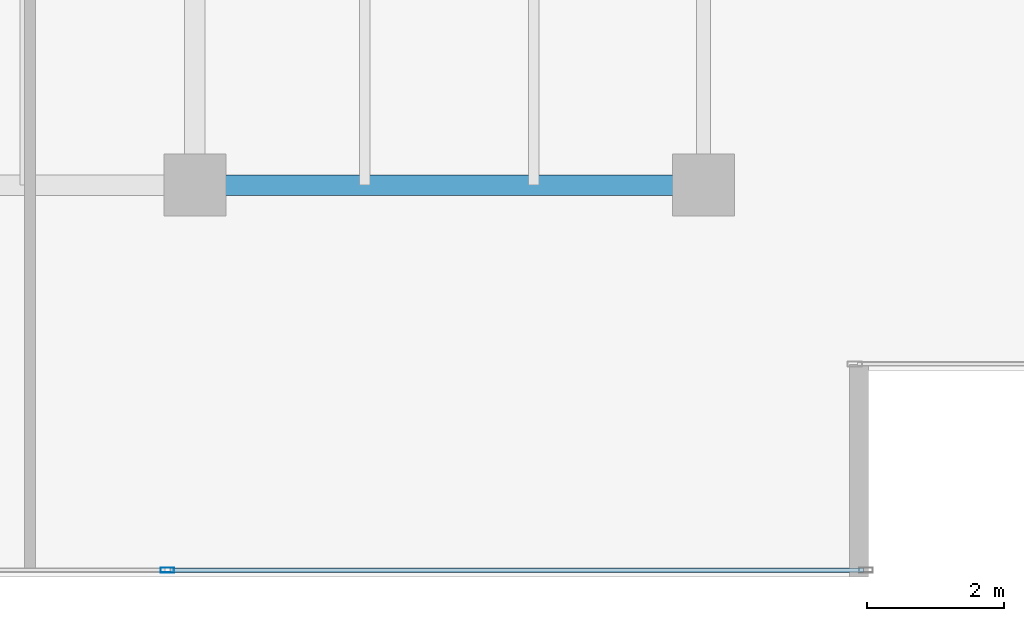
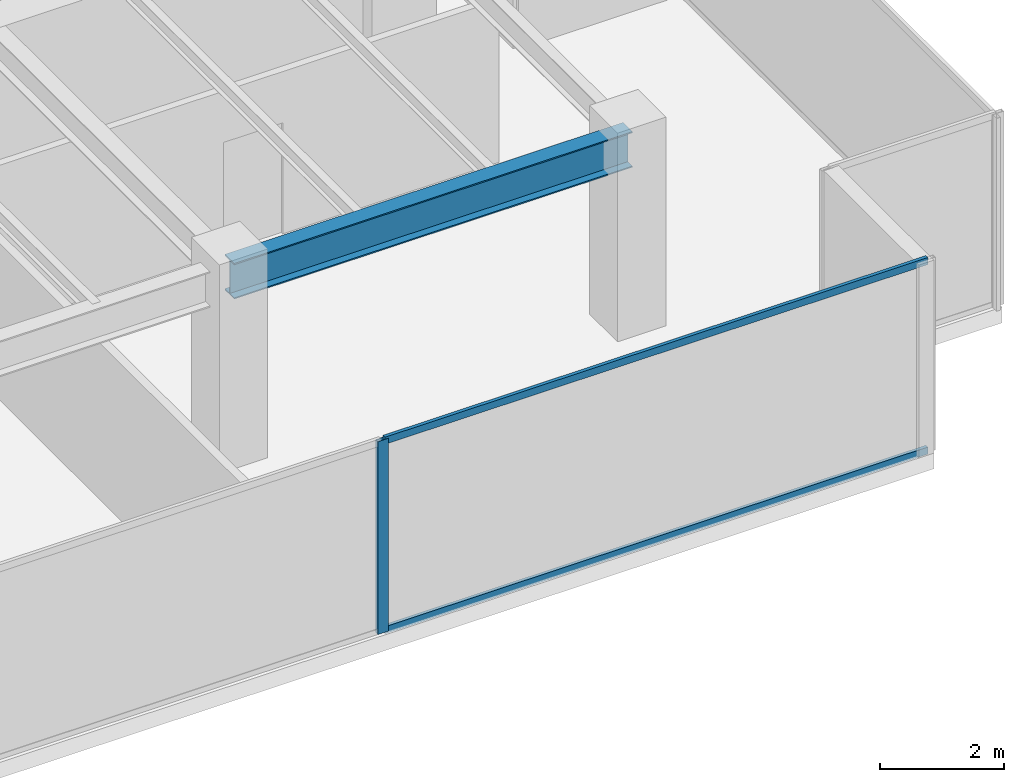
# One storey, part 12 of 30: 3 members, 1 beam, 1 element without a shape of its own.
"""IFC4 building model written with IfcOpenShell, lengths in metres."""

import ifcopenshell
import ifcopenshell.guid

model = None  # the IFC model being written
_history = None  # IfcOwnerHistory: only IFC2X3 demands one
_inside = {}  # id of a spatial element -> (the spatial element, [elements in it])
_under = {}  # id of a project, library or spatial element -> (it, [spatial elements below it])
_declared = {}  # id of a project -> (the project, [libraries it declares])
_typed = {}  # id of a type object -> (the type object, [elements of that type])
_made_of = {}  # id of a material, layer set ... -> (it, [elements and type objects made of it])


def new_model(schema):
    """Start an empty IFC model of exactly this schema.

    Asked for "IFC4X3", IfcOpenShell would pick the latest addendum, in which some entities
    have other attributes; the version numbers below select the first issue.
    IFC2X3 requires an IfcOwnerHistory on every rooted entity: one is made here for all.
    """
    global model, _history
    if schema == "IFC4X3":
        model = ifcopenshell.file(schema_version=(4, 3, 0, 0))
    else:
        model = ifcopenshell.file(schema=schema)
    _inside.clear()
    _under.clear()
    _declared.clear()
    _typed.clear()
    _made_of.clear()
    _history = None
    if model.schema == "IFC2X3":
        org = make("IfcOrganization", Name="unknown")
        user = make(
            "IfcPersonAndOrganization",
            ThePerson=make("IfcPerson", FamilyName="unknown"),
            TheOrganization=org,
        )
        app = make(
            "IfcApplication",
            ApplicationDeveloper=org,
            Version="unknown",
            ApplicationFullName="unknown",
            ApplicationIdentifier="unknown",
        )
        _history = make(
            "IfcOwnerHistory",
            OwningUser=user,
            OwningApplication=app,
            ChangeAction="ADDED",
            CreationDate=0,
        )
    return model


def make(cls, **values):
    """One entity of the class cls with the attributes given. An attribute that is None is left unset."""
    return model.create_entity(
        cls, **{name: value for name, value in values.items() if value is not None}
    )


def rooted(cls, **values):
    """An entity with a GlobalId (a new one), such as an element, a storey or a relation."""
    return make(cls, GlobalId=ifcopenshell.guid.new(), OwnerHistory=_history, **values)


def si_unit(unit_type, name, prefix=None):
    """IfcSIUnit, for example si_unit("LENGTHUNIT", "METRE", prefix="MILLI")."""
    return make("IfcSIUnit", UnitType=unit_type, Prefix=prefix, Name=name)


def assignment(units):
    """IfcUnitAssignment: the units of a project."""
    return None if units is None else make("IfcUnitAssignment", Units=units)


def point(xyz):
    """IfcCartesianPoint."""
    return None if xyz is None else make("IfcCartesianPoint", Coordinates=xyz)


def direction(xyz):
    """IfcDirection."""
    return None if xyz is None else make("IfcDirection", DirectionRatios=xyz)


def frame(location, z_axis=None, x_axis=None):
    """IfcAxis2Placement3D, a coordinate frame: its origin and axes. An axis left out is left unset."""
    return make(
        "IfcAxis2Placement3D",
        Location=point(location),
        Axis=direction(z_axis),
        RefDirection=direction(x_axis),
    )


def frame_2d(location, x_axis=None):
    """IfcAxis2Placement2D, a coordinate frame in the plane: its origin and x axis."""
    return make(
        "IfcAxis2Placement2D", Location=point(location), RefDirection=direction(x_axis)
    )


def origin():
    """The frame at (0, 0, 0) with its axes left unset."""
    return frame((0.0, 0.0, 0.0))


def origin_2d():
    """The frame at (0, 0) in the plane with its x axis left unset."""
    return frame_2d((0.0, 0.0))


def place(relative_to, where):
    """IfcLocalPlacement: puts the frame where relative to a parent placement (None: the world)."""
    return make(
        "IfcLocalPlacement", PlacementRelTo=relative_to, RelativePlacement=where
    )


def context(
    kind, dimensions, precision=None, world=None, true_north=None, identifier=None
):
    """IfcGeometricRepresentationContext, for example the 3D "Model" context."""
    return make(
        "IfcGeometricRepresentationContext",
        ContextIdentifier=identifier,
        ContextType=kind,
        CoordinateSpaceDimension=dimensions,
        Precision=precision,
        WorldCoordinateSystem=world,
        TrueNorth=true_north,
    )


def subcontext(parent, identifier, kind, view, scale=None):
    """IfcGeometricRepresentationSubContext, for example "Body" below "Model"."""
    return make(
        "IfcGeometricRepresentationSubContext",
        ContextIdentifier=identifier,
        ContextType=kind,
        ParentContext=parent,
        TargetScale=scale,
        TargetView=view,
    )


def project(units=None, contexts=None):
    """IfcProject with its units and contexts."""
    return rooted(
        "IfcProject",
        Name="project",
        RepresentationContexts=contexts,
        UnitsInContext=assignment(units),
    )


def spatial(cls, under=None, at=None, **own):
    """A site, building, storey or space (cls), placed at a placement, below another one or the project."""
    s = rooted(cls, ObjectPlacement=at, **own)
    if under is not None:
        _under.setdefault(under.id(), (under, []))[1].append(s)
    return s


def profile(cls, at=None, kind="AREA", **sizes):
    """A parametric profile (cls). Its sizes go by their IFC names, for example OverallWidth=200.0."""
    return make(cls, ProfileType=kind, Position=at, **sizes)


def hollow_rectangle(**sizes):
    """IfcRectangleHollowProfileDef."""
    return profile("IfcRectangleHollowProfileDef", **sizes)


def i_section(**sizes):
    """IfcIShapeProfileDef."""
    return profile("IfcIShapeProfileDef", **sizes)


def extrude(swept, where, along, depth):
    """IfcExtrudedAreaSolid: the profile swept, set in the frame where, extruded along a direction by depth."""
    return make(
        "IfcExtrudedAreaSolid",
        SweptArea=swept,
        Position=where,
        ExtrudedDirection=direction(along),
        Depth=depth,
    )


def shape(context_of_items, identifier, shape_type, items):
    """IfcShapeRepresentation: the items that make up one representation, for example the "Body"."""
    return make(
        "IfcShapeRepresentation",
        ContextOfItems=context_of_items,
        RepresentationIdentifier=identifier,
        RepresentationType=shape_type,
        Items=items,
    )


def source(mapping_origin, context_of_items, identifier, shape_type, items):
    """IfcRepresentationMap: a shape defined once, which mapped items show again and again."""
    return make(
        "IfcRepresentationMap",
        MappingOrigin=mapping_origin,
        MappedRepresentation=shape(context_of_items, identifier, shape_type, items),
    )


def transform(
    local_origin,
    x_axis=None,
    y_axis=None,
    z_axis=None,
    scale=None,
    scale2=None,
    scale3=None,
    uniform=True,
):
    """IfcCartesianTransformationOperator3D, or its non-uniform kind. x_axis, y_axis, z_axis: its Axis1, 2, 3."""
    if uniform:
        return make(
            "IfcCartesianTransformationOperator3D",
            Axis1=direction(x_axis),
            Axis2=direction(y_axis),
            LocalOrigin=point(local_origin),
            Scale=scale,
            Axis3=direction(z_axis),
        )
    return make(
        "IfcCartesianTransformationOperator3DnonUniform",
        Axis1=direction(x_axis),
        Axis2=direction(y_axis),
        LocalOrigin=point(local_origin),
        Scale=scale,
        Axis3=direction(z_axis),
        Scale2=scale2,
        Scale3=scale3,
    )


def mapped(mapping_source, mapping_target):
    """IfcMappedItem: shows the shape of a source again, moved by a transform."""
    return make(
        "IfcMappedItem", MappingSource=mapping_source, MappingTarget=mapping_target
    )


def material(Name=None, Category=None):
    """IfcMaterial."""
    return make("IfcMaterial", Name=Name, Category=Category)


def layer(
    of_material, thickness, ventilated=None, Name=None, Category=None, Priority=None
):
    """IfcMaterialLayer: one layer of a wall or slab, of a material (None: an air gap)."""
    return make(
        "IfcMaterialLayer",
        Material=of_material,
        LayerThickness=thickness,
        IsVentilated=ventilated,
        Name=Name,
        Category=Category,
        Priority=Priority,
    )


def layer_set(layers, Name=None):
    """IfcMaterialLayerSet."""
    return make("IfcMaterialLayerSet", MaterialLayers=layers, LayerSetName=Name)


def material_profile(
    of_material, cross_section, Name=None, Category=None, Priority=None
):
    """IfcMaterialProfile: a cross section and its material."""
    return make(
        "IfcMaterialProfile",
        Name=Name,
        Material=of_material,
        Profile=cross_section,
        Priority=Priority,
        Category=Category,
    )


def profile_set(profiles, Name=None, composite=None):
    """IfcMaterialProfileSet."""
    return make(
        "IfcMaterialProfileSet",
        Name=Name,
        MaterialProfiles=profiles,
        CompositeProfile=composite,
    )


def made_of(thing, what):
    """Note that an element or type object is made of a material, layer set ...; save() writes the relation."""
    if what is not None:
        _made_of.setdefault(what.id(), (what, []))[1].append(thing)
    return thing


def type_object(cls, material=None, **own):
    """A type object (cls), such as IfcWallType, which elements share."""
    return made_of(rooted(cls, **own), material)


def type_shapes(of_type, sources):
    """Give a type object the sources (RepresentationMaps) that its elements show as mapped items."""
    of_type.RepresentationMaps = sources


def element(
    cls,
    number,
    at=None,
    inside=None,
    cuts=None,
    type_object=None,
    material=None,
    context=None,
    identifier="Body",
    shape_type=None,
    held_by="IfcProductDefinitionShape",
    body=None,
    shapes=None,
    **own,
):
    """One element of the class cls, such as IfcWall. Its Tag is "e" and its number.

    at: its placement. inside: the storey or other place that contains it. cuts: it is an
    opening in that element (IfcRelVoidsElement). A single representation is given by context,
    identifier, shape_type and body (its items); several are given by shapes. held_by: the class
    of the entity that holds the representations. save() writes the other relations.
    """
    e = rooted(cls, Tag="e%d" % number, ObjectPlacement=at, **own)
    if body is not None:
        shapes = [shape(context, identifier, shape_type, body)]
    if shapes is not None:
        e.Representation = make(held_by, Representations=shapes)
    if inside is not None:
        _inside.setdefault(inside.id(), (inside, []))[1].append(e)
    if cuts is not None:
        rooted(
            "IfcRelVoidsElement", RelatingBuildingElement=cuts, RelatedOpeningElement=e
        )
    if type_object is not None:
        _typed.setdefault(type_object.id(), (type_object, []))[1].append(e)
    return made_of(e, material)


def aggregate(whole, parts):
    """IfcRelAggregates: a whole, such as a stair, and the parts it consists of."""
    return rooted("IfcRelAggregates", RelatingObject=whole, RelatedObjects=parts)


def save(model, path):
    """Write the relations noted so far, then the file.

    IfcRelAggregates (storeys below a building ...), IfcRelContainedInSpatialStructure (elements
    in a storey), IfcRelDefinesByType, IfcRelAssociatesMaterial and IfcRelDeclares: one each for
    every whole, place, type object, material and project.
    """
    for whole, parts in _under.values():
        aggregate(whole, parts)
    for where, things in _inside.values():
        rooted(
            "IfcRelContainedInSpatialStructure",
            RelatedElements=things,
            RelatingStructure=where,
        )
    for kind, things in _typed.values():
        rooted("IfcRelDefinesByType", RelatedObjects=things, RelatingType=kind)
    for what, things in _made_of.values():
        rooted("IfcRelAssociatesMaterial", RelatedObjects=things, RelatingMaterial=what)
    for by, libraries in _declared.values():
        rooted("IfcRelDeclares", RelatingContext=by, RelatedDefinitions=libraries)
    model.write(path)


model = new_model("IFC4")

# Units and contexts
model_context = context("Model", 3, precision=1e-05, world=origin(), true_north=direction((0.0, 1.0)))
body_context = subcontext(model_context, "Body", "Model", "MODEL_VIEW")
ifc_project = project(units=[si_unit("LENGTHUNIT", "METRE"), si_unit("AREAUNIT", "SQUARE_METRE"), si_unit("VOLUMEUNIT", "CUBIC_METRE"), si_unit("PLANEANGLEUNIT", "RADIAN"), si_unit("MASSUNIT", "GRAM", prefix="KILO")], contexts=[model_context])

# Site, building, storey
site_placement = place(None, origin())
site = spatial("IfcSite", under=ifc_project, at=site_placement, CompositionType="ELEMENT")
building_placement = place(site_placement, origin())
building = spatial("IfcBuilding", under=site, at=building_placement, Name="Haelvirn Gate Laboratories", CompositionType="ELEMENT")
storey_placement = place(building_placement, frame((0.0, 0.0, 162.5)))
storey = spatial("IfcBuildingStorey", under=building, at=storey_placement, Name="L39", CompositionType="ELEMENT", Elevation=162.5)

# Beam
ifc_material_1 = material(Name="Steel SM355", Category="steel")
ifc_material_profile_1 = material_profile(ifc_material_1, i_section(OverallWidth=0.300048828125, OverallDepth=0.699951171875, WebThickness=0.012939453125, FlangeThickness=0.02392578125, at=origin_2d()), Name="H-700x300x13x24")
ifc_profile_set_1 = profile_set([ifc_material_profile_1], Name="Steel SM355")
beam_type = type_object("IfcBeamType", Name="BM-G-700", PredefinedType="BEAM", material=ifc_profile_set_1)
shared_shape_1 = source(origin(), body_context, "Body", "SweptSolid", [
    extrude(i_section(OverallWidth=0.300048828125, OverallDepth=0.699951171875, WebThickness=0.012939453125, FlangeThickness=0.02392578125, at=origin_2d()), origin(), (0.0, 0.0, 1.0), 7.39990234375),
])
type_shapes(beam_type, [shared_shape_1])
beam_placement = place(storey_placement, frame((60.0, 7.0, 3.43994140625), z_axis=(1.0, 0.0, 0.0), x_axis=(0.0, 1.0, 0.0)))
element("IfcBeam", 1, at=beam_placement, inside=storey, type_object=beam_type, Name="L39 Primary Girder Y7.0 (60.0-67.4)", PredefinedType="BEAM", context=body_context, shape_type="MappedRepresentation", body=[
    mapped(shared_shape_1, transform((0.0, 0.0, 0.0), scale=1.0)),
])

# Curtain wall, members
ifc_material_2 = material(Name="Anodised bronze unitised aluminium & triple low-E glass", Category="aluminium")
ifc_layer = layer(ifc_material_2, 0.179931640625, Name="CW-SYS-3")
ifc_layer_set = layer_set([ifc_layer], Name="Anodised bronze unitised aluminium & triple low-E glass")
curtain_wall_type = type_object("IfcCurtainWallType", Name="CW-SYS-3", PredefinedType="NOTDEFINED", material=ifc_layer_set)
curtain_wall_placement = place(storey_placement, origin())
curtain_wall = element("IfcCurtainWall", 2, at=curtain_wall_placement, inside=storey, type_object=curtain_wall_type, Name="L39 Unitised Curtain Wall CW-L39-P0-E04-1", PredefinedType="NOTDEFINED")
ifc_material_3 = material(Name="Extruded aluminium 6063-T6 (anodised bronze)", Category="aluminium")
ifc_material_profile_2 = material_profile(ifc_material_3, hollow_rectangle(XDim=0.06494140625, YDim=0.139892578125, WallThickness=0.00390625, at=origin_2d()), Name="CWT-140x65x4")
ifc_profile_set_2 = profile_set([ifc_material_profile_2], Name="Extruded aluminium 6063-T6 (anodised bronze)")
member_type_1 = type_object("IfcMemberType", Name="CWT-T140", PredefinedType="USERDEFINED", material=ifc_profile_set_2)
shared_shape_2 = source(origin(), body_context, "Body", "SweptSolid", [
    extrude(hollow_rectangle(XDim=0.06494140625, YDim=0.139892578125, WallThickness=0.00390625, at=origin_2d()), origin(), (0.0, 0.0, 1.0), 10.087646484375),
])
type_shapes(member_type_1, [shared_shape_2])
member_1_placement = place(storey_placement, frame((59.637451171875, 1.39990234375, 0.032470703125), z_axis=(1.0, 0.0, 0.0), x_axis=(0.0, 1.0, 0.0)))
member_1 = element("IfcMember", 3, at=member_1_placement, type_object=member_type_1, Name="CW3 transom 2.1", ObjectType="TRANSOM", PredefinedType="USERDEFINED", context=body_context, shape_type="MappedRepresentation", body=[
    mapped(shared_shape_2, transform((0.0, 0.0, 0.0), scale=1.0)),
])
member_2_placement = place(storey_placement, frame((59.637451171875, 1.39990234375, 3.757568359375), z_axis=(1.0, 0.0, 0.0), x_axis=(0.0, 1.0, 0.0)))
member_2 = element("IfcMember", 4, at=member_2_placement, type_object=member_type_1, Name="CW3 transom 2.2", ObjectType="TRANSOM", PredefinedType="USERDEFINED", context=body_context, shape_type="MappedRepresentation", body=[
    mapped(shared_shape_2, transform((0.0, 0.0, 0.0), scale=1.0)),
])
ifc_material_profile_3 = material_profile(ifc_material_3, hollow_rectangle(XDim=0.074951171875, YDim=0.199951171875, WallThickness=0.0048828125, at=origin_2d()), Name="CWM-200x75x5")
ifc_profile_set_3 = profile_set([ifc_material_profile_3], Name="Extruded aluminium 6063-T6 (anodised bronze)")
member_type_2 = type_object("IfcMemberType", Name="CWM-T200", PredefinedType="MULLION", material=ifc_profile_set_3)
shared_shape_3 = source(origin(), body_context, "Body", "SweptSolid", [
    extrude(hollow_rectangle(XDim=0.074951171875, YDim=0.199951171875, WallThickness=0.0048828125, at=origin_2d()), origin(), (0.0, 0.0, 1.0), 3.7900390625),
])
type_shapes(member_type_2, [shared_shape_3])
member_3_placement = place(storey_placement, frame((59.60009765625, 1.39990234375, 0.0), z_axis=(0.0, 0.0, 1.0), x_axis=(0.0, 1.0, 0.0)))
member_3 = element("IfcMember", 5, at=member_3_placement, type_object=member_type_2, Name="CW3 mullion 2", PredefinedType="MULLION", context=body_context, shape_type="MappedRepresentation", body=[
    mapped(shared_shape_3, transform((0.0, 0.0, 0.0), scale=1.0)),
])
aggregate(curtain_wall, [member_3, member_1, member_2])

save(model, "model.ifc")
